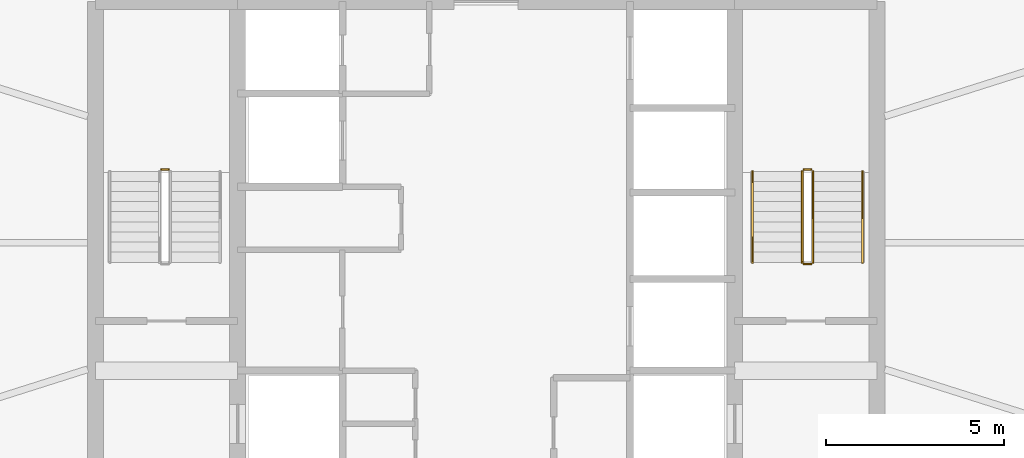
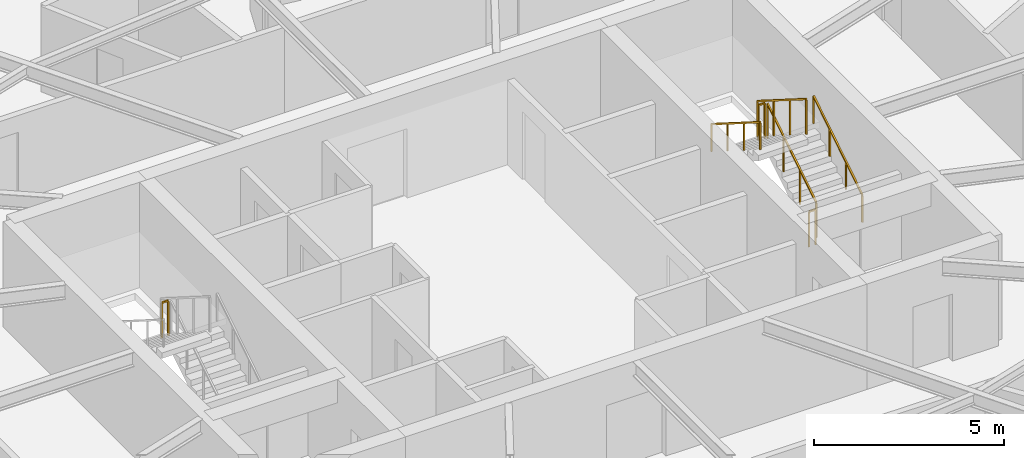
# One storey, part 29 of 29: 7 railings.
"""IFC4 building model written with IfcOpenShell, lengths in metres."""

from ifc_helpers import new_model, si_unit, direction, frame, origin, origin_2d, place, context, subcontext, project, spatial, rectangle, extrude, material, type_object, element, save


model = new_model("IFC4")

# Units and contexts
model_context = context("Model", 3, precision=1e-05, world=origin(), true_north=direction((0.0, 1.0)))
body_context = subcontext(model_context, "Body", "Model", "MODEL_VIEW")
ifc_project = project(units=[si_unit("LENGTHUNIT", "METRE"), si_unit("AREAUNIT", "SQUARE_METRE"), si_unit("VOLUMEUNIT", "CUBIC_METRE"), si_unit("PLANEANGLEUNIT", "RADIAN"), si_unit("MASSUNIT", "GRAM", prefix="KILO")], contexts=[model_context])

# Site, building, storey
site_placement = place(None, origin())
site = spatial("IfcSite", under=ifc_project, at=site_placement, CompositionType="ELEMENT")
building_placement = place(site_placement, origin())
building = spatial("IfcBuilding", under=site, at=building_placement, Name="Sarneth Arch Tower", CompositionType="ELEMENT")
storey_placement = place(building_placement, frame((0.0, 0.0, 175.800048828125)))
storey = spatial("IfcBuildingStorey", under=building, at=storey_placement, Name="L44", CompositionType="ELEMENT", Elevation=175.800048828125)

# Railings
ifc_material_1 = material(Name="Brushed Stainless Steel 304 tubular handrail", Category="steel")
railing_type_1 = type_object("IfcRailingType", Name="RAIL-HANDRAIL-900", PredefinedType="HANDRAIL", material=ifc_material_1)
railing_1_placement = place(storey_placement, frame((58.60009765625, 41.449951171875, 0.179931640625)))
element("IfcRailing", 1, at=railing_1_placement, inside=storey, type_object=railing_type_1, Name="L44 ST-2 stair handrail 1", PredefinedType="HANDRAIL", context=body_context, shape_type="SweptSolid", body=[
    extrude(rectangle(XDim=0.048095703125, YDim=0.048095703125, at=origin_2d()), frame((0.0, 0.0, 0.8759765625), z_axis=(0.0, 0.845465955043, 0.534029323973), x_axis=(-1.0, 0.0, 0.0)), (0.0, 0.0, 1.0), 3.03369140625),
    extrude(rectangle(XDim=0.0419921875, YDim=0.0419921875, at=origin_2d()), origin(), (0.0, 0.0, 1.0), 0.851806640625),
    extrude(rectangle(XDim=0.0419921875, YDim=0.0419921875, at=origin_2d()), frame((0.0, 0.85498046875, 0.5400390625)), (0.0, 0.0, 1.0), 0.851806640625),
    extrude(rectangle(XDim=0.0419921875, YDim=0.0419921875, at=origin_2d()), frame((0.0, 1.7099609375, 1.080078125)), (0.0, 0.0, 1.0), 0.851806640625),
    extrude(rectangle(XDim=0.0419921875, YDim=0.0419921875, at=origin_2d()), frame((0.0, 2.56494140625, 1.6201171875)), (0.0, 0.0, 1.0), 0.851806640625),
])
railing_2_placement = place(storey_placement, frame((55.5, 44.014892578125, 1.97998046875)))
element("IfcRailing", 2, at=railing_2_placement, inside=storey, type_object=railing_type_1, Name="L44 ST-2 stair handrail 2", PredefinedType="HANDRAIL", context=body_context, shape_type="SweptSolid", body=[
    extrude(rectangle(XDim=0.048095703125, YDim=0.048095703125, at=origin_2d()), frame((0.0, 0.0, 0.8759765625), z_axis=(0.0, -0.845502289212, 0.533971796014), x_axis=(1.0, 0.0, 0.0)), (0.0, 0.0, 1.0), 3.03369140625),
    extrude(rectangle(XDim=0.0419921875, YDim=0.0419921875, at=origin_2d()), origin(), (0.0, 0.0, 1.0), 0.851806640625),
    extrude(rectangle(XDim=0.0419921875, YDim=0.0419921875, at=origin_2d()), frame((0.0, -0.85498046875, 0.5400390625)), (0.0, 0.0, 1.0), 0.851806640625),
    extrude(rectangle(XDim=0.0419921875, YDim=0.0419921875, at=origin_2d()), frame((0.0, -1.7099609375, 1.079833984375)), (0.0, 0.0, 1.0), 0.851806640625),
    extrude(rectangle(XDim=0.0419921875, YDim=0.0419921875, at=origin_2d()), frame((0.0, -2.56494140625, 1.619873046875)), (0.0, 0.0, 1.0), 0.851806640625),
])
ifc_material_2 = material(Name="Painted Steel S275 stair well guard", Category="steel")
railing_type_2 = type_object("IfcRailingType", Name="RAIL-STAIR-GUARD", PredefinedType="GUARDRAIL", material=ifc_material_2)
railing_3_placement = place(storey_placement, frame((39.050048828125, 44.06494140625, 1.800048828125)))
element("IfcRailing", 3, at=railing_3_placement, inside=storey, type_object=railing_type_2, Name="L44 ST-1 stair guard 2", PredefinedType="GUARDRAIL", context=body_context, shape_type="SweptSolid", body=[
    extrude(rectangle(XDim=0.048095703125, YDim=0.048095703125, at=origin_2d()), frame((0.0, 0.0, 1.1259765625), z_axis=(-1.0, 0.0, 0.0), x_axis=(0.0, -1.0, 0.0)), (0.0, 0.0, 1.0), 0.199951171875),
    extrude(rectangle(XDim=0.0419921875, YDim=0.0419921875, at=origin_2d()), origin(), (0.0, 0.0, 1.0), 1.101806640625),
    extrude(rectangle(XDim=0.0419921875, YDim=0.0419921875, at=origin_2d()), frame((-0.199951171875, 0.0, 0.0)), (0.0, 0.0, 1.0), 1.101806640625),
])
railing_4_placement = place(storey_placement, frame((57.199951171875, 41.449951171875, 0.179931640625)))
element("IfcRailing", 4, at=railing_4_placement, inside=storey, type_object=railing_type_2, Name="L44 ST-2 stair guard 1", PredefinedType="GUARDRAIL", context=body_context, shape_type="SweptSolid", body=[
    extrude(rectangle(XDim=0.048095703125, YDim=0.048095703125, at=origin_2d()), frame((0.0, 0.0, 1.1259765625), z_axis=(0.0, 0.845465955043, 0.534029323973), x_axis=(-1.0, 0.0, 0.0)), (0.0, 0.0, 1.0), 3.03369140625),
    extrude(rectangle(XDim=0.0419921875, YDim=0.0419921875, at=origin_2d()), origin(), (0.0, 0.0, 1.0), 1.101806640625),
    extrude(rectangle(XDim=0.0419921875, YDim=0.0419921875, at=origin_2d()), frame((0.0, 0.85498046875, 0.5400390625)), (0.0, 0.0, 1.0), 1.101806640625),
    extrude(rectangle(XDim=0.0419921875, YDim=0.0419921875, at=origin_2d()), frame((0.0, 1.7099609375, 1.080078125)), (0.0, 0.0, 1.0), 1.101806640625),
    extrude(rectangle(XDim=0.0419921875, YDim=0.0419921875, at=origin_2d()), frame((0.0, 2.56494140625, 1.6201171875)), (0.0, 0.0, 1.0), 1.101806640625),
])
railing_5_placement = place(storey_placement, frame((57.14990234375, 44.06494140625, 1.800048828125)))
element("IfcRailing", 5, at=railing_5_placement, inside=storey, type_object=railing_type_2, Name="L44 ST-2 stair guard 2", PredefinedType="GUARDRAIL", context=body_context, shape_type="SweptSolid", body=[
    extrude(rectangle(XDim=0.048095703125, YDim=0.048095703125, at=origin_2d()), frame((0.0, 0.0, 1.1259765625), z_axis=(-1.0, 0.0, 0.0), x_axis=(0.0, -1.0, 0.0)), (0.0, 0.0, 1.0), 0.199951171875),
    extrude(rectangle(XDim=0.0419921875, YDim=0.0419921875, at=origin_2d()), origin(), (0.0, 0.0, 1.0), 1.101806640625),
    extrude(rectangle(XDim=0.0419921875, YDim=0.0419921875, at=origin_2d()), frame((-0.199951171875, 0.0, 0.0)), (0.0, 0.0, 1.0), 1.101806640625),
])
railing_6_placement = place(storey_placement, frame((56.89990234375, 44.014892578125, 1.97998046875)))
element("IfcRailing", 6, at=railing_6_placement, inside=storey, type_object=railing_type_2, Name="L44 ST-2 stair guard 3", PredefinedType="GUARDRAIL", context=body_context, shape_type="SweptSolid", body=[
    extrude(rectangle(XDim=0.048095703125, YDim=0.048095703125, at=origin_2d()), frame((0.0, 0.0, 1.1259765625), z_axis=(0.0, -0.845502289212, 0.533971796014), x_axis=(1.0, 0.0, 0.0)), (0.0, 0.0, 1.0), 3.03369140625),
    extrude(rectangle(XDim=0.0419921875, YDim=0.0419921875, at=origin_2d()), origin(), (0.0, 0.0, 1.0), 1.101806640625),
    extrude(rectangle(XDim=0.0419921875, YDim=0.0419921875, at=origin_2d()), frame((0.0, -0.85498046875, 0.5400390625)), (0.0, 0.0, 1.0), 1.101806640625),
    extrude(rectangle(XDim=0.0419921875, YDim=0.0419921875, at=origin_2d()), frame((0.0, -1.7099609375, 1.079833984375)), (0.0, 0.0, 1.0), 1.101806640625),
    extrude(rectangle(XDim=0.0419921875, YDim=0.0419921875, at=origin_2d()), frame((0.0, -2.56494140625, 1.619873046875)), (0.0, 0.0, 1.0), 1.101806640625),
])
railing_7_placement = place(storey_placement, frame((57.14990234375, 41.39990234375, 0.0)))
element("IfcRailing", 7, at=railing_7_placement, inside=storey, type_object=railing_type_2, Name="L44 ST-2 stair guard 4", PredefinedType="GUARDRAIL", context=body_context, shape_type="SweptSolid", body=[
    extrude(rectangle(XDim=0.048095703125, YDim=0.048095703125, at=origin_2d()), frame((0.0, 0.0, 1.1259765625), z_axis=(-1.0, 0.0, 0.0), x_axis=(0.0, -1.0, 0.0)), (0.0, 0.0, 1.0), 0.199951171875),
    extrude(rectangle(XDim=0.0419921875, YDim=0.0419921875, at=origin_2d()), origin(), (0.0, 0.0, 1.0), 1.101806640625),
    extrude(rectangle(XDim=0.0419921875, YDim=0.0419921875, at=origin_2d()), frame((-0.199951171875, 0.0, 0.0)), (0.0, 0.0, 1.0), 1.101806640625),
])

save(model, "model.ifc")
